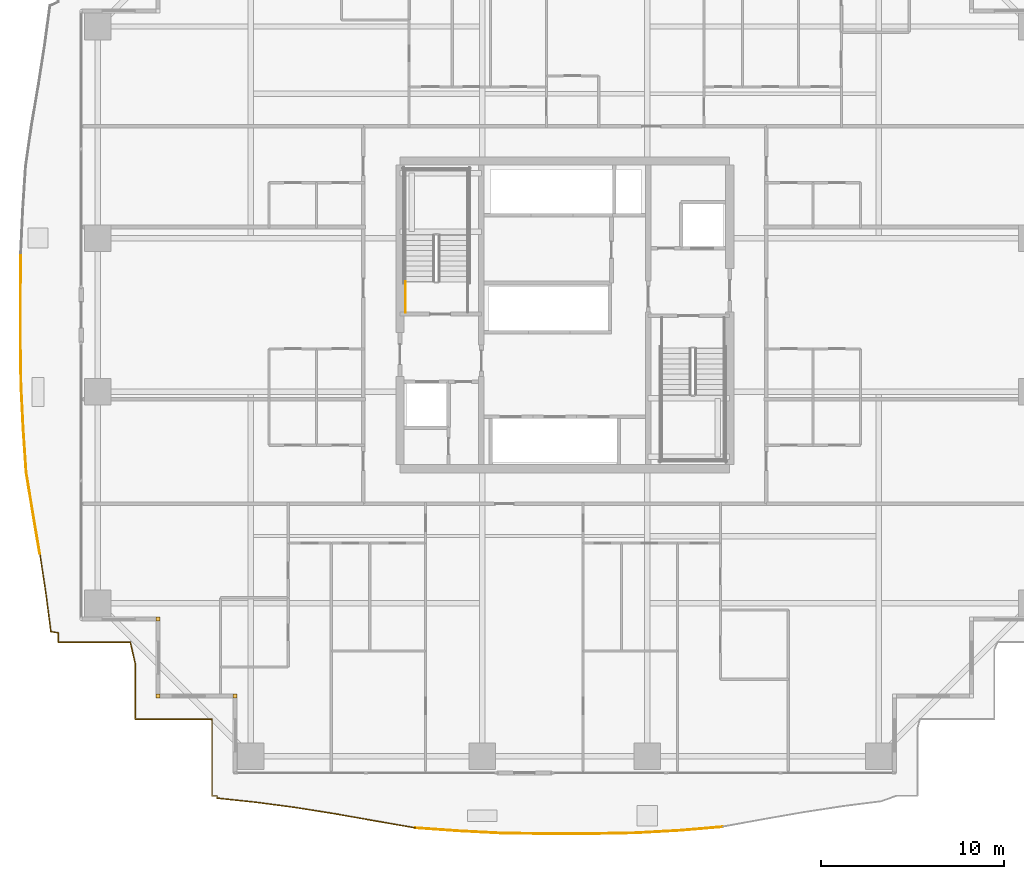
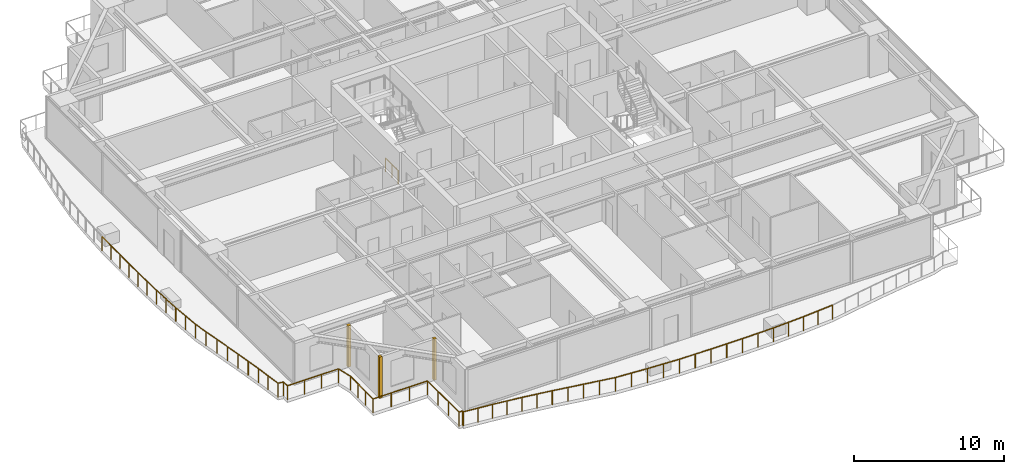
# One storey, part 34 of 40: 5 railings, 3 coverings.
"""IFC4 building model written with IfcOpenShell, lengths in metres."""

from ifc_helpers import new_model, si_unit, direction, frame, origin, origin_2d, place, context, subcontext, project, spatial, rectangle, circle, extrude, source, transform, mapped, material, layer, layer_set, type_object, element, save


model = new_model("IFC4")

# Units and contexts
model_context = context("Model", 3, precision=1e-05, world=origin(), true_north=direction((0.0, 1.0)))
body_context = subcontext(model_context, "Body", "Model", "MODEL_VIEW")
ifc_project = project(units=[si_unit("LENGTHUNIT", "METRE"), si_unit("AREAUNIT", "SQUARE_METRE"), si_unit("VOLUMEUNIT", "CUBIC_METRE"), si_unit("PLANEANGLEUNIT", "RADIAN"), si_unit("MASSUNIT", "GRAM", prefix="KILO")], contexts=[model_context])

# Site, building, storey
site_placement = place(None, origin())
site = spatial("IfcSite", under=ifc_project, at=site_placement, CompositionType="ELEMENT")
building_placement = place(site_placement, origin())
building = spatial("IfcBuilding", under=site, at=building_placement, Name="Serunith Strait Residences", CompositionType="ELEMENT")
storey_placement = place(building_placement, frame((0.0, 0.0, 105.449951171875)))
storey = spatial("IfcBuildingStorey", under=building, at=storey_placement, Name="L26", CompositionType="ELEMENT", Elevation=105.449951171875)

# Railings
ifc_material_1 = material(Name="Stainless Steel & Laminated Glass Balustrade", Category="steel")
railing_type_1 = type_object("IfcRailingType", Name="RLG-BALC-1150", PredefinedType="BALUSTRADE", material=ifc_material_1)
railing_1_placement = place(storey_placement, frame((13.139892578125, 3.139892578125, -0.050048828125)))
element("IfcRailing", 1, at=railing_1_placement, inside=storey, type_object=railing_type_1, Name="L26 Swirling Balcony Perimeter Balustrade 1", PredefinedType="BALUSTRADE", context=body_context, shape_type="SweptSolid", body=[
    extrude(circle(Radius=0.02392578125, at=origin_2d()), frame((-0.001953125, 0.0, 1.1259765625), z_axis=(-1.0, 0.0, 0.0), x_axis=(0.0, -1.0, 0.0)), (0.0, 0.0, 1.0), 4.196044921875),
    extrude(circle(Radius=0.02392578125, at=origin_2d()), frame((-4.199951171875, 0.001953125, 1.1259765625), z_axis=(0.0, 1.0, 0.0), x_axis=(-1.0, 0.0, 0.0)), (0.0, 0.0, 1.0), 3.044921875),
    extrude(circle(Radius=0.02392578125, at=origin_2d()), frame((-4.200439453125, 3.05078125, 1.1259765625), z_axis=(-0.223032461531, 0.974811018148, 0.0), x_axis=(-0.974811018148, -0.223032461531, 0.0)), (0.0, 0.0, 1.0), 1.177001953125),
    extrude(circle(Radius=0.02392578125, at=origin_2d()), frame((-4.46533203125, 4.2001953125, 1.1259765625), z_axis=(-1.0, 0.0, 0.0), x_axis=(0.0, -1.0, 0.0)), (0.0, 0.0, 1.0), 3.9326171875),
    extrude(circle(Radius=0.02392578125, at=origin_2d()), frame((-8.39990234375, 4.2021484375, 1.1259765625), z_axis=(0.0, 1.0, 0.0), x_axis=(-1.0, 0.0, 0.0)), (0.0, 0.0, 1.0), 0.50341796875),
    extrude(circle(Radius=0.02392578125, at=origin_2d()), frame((-8.40185546875, 4.707763671875, 1.1259765625), z_axis=(-0.987262585276, 0.159099301426, 0.0), x_axis=(-0.159099301426, -0.987262585276, 0.0)), (0.0, 0.0, 1.0), 0.399658203125),
    extrude(circle(Radius=0.02392578125, at=origin_2d()), frame((-8.798583984375, 4.773681640625, 1.1259765625), z_axis=(-0.129256490663, 0.991611193776, 0.0), x_axis=(-0.991611193776, -0.129256490663, 0.0)), (0.0, 0.0, 1.0), 2.1416015625),
    extrude(circle(Radius=0.02392578125, at=origin_2d()), frame((-9.075927734375, 6.9013671875, 1.1259765625), z_axis=(-0.151348441633, 0.988480474878, 0.0), x_axis=(-0.988480474878, -0.151348441633, 0.0)), (0.0, 0.0, 1.0), 2.17041015625),
    extrude(circle(Radius=0.02099609375, at=origin_2d()), origin(), (0.0, 0.0, 1.0), 1.099853515625),
    extrude(circle(Radius=0.02099609375, at=origin_2d()), frame((-1.39990234375, 0.0, 0.0)), (0.0, 0.0, 1.0), 1.099853515625),
    extrude(circle(Radius=0.02099609375, at=origin_2d()), frame((-2.800048828125, 0.0, 0.0)), (0.0, 0.0, 1.0), 1.099853515625),
    extrude(circle(Radius=0.02099609375, at=origin_2d()), frame((-4.199951171875, 0.0, 0.0)), (0.0, 0.0, 1.0), 1.099853515625),
    extrude(circle(Radius=0.02099609375, at=origin_2d()), frame((-4.199951171875, 1.016357421875, 0.0)), (0.0, 0.0, 1.0), 1.099853515625),
    extrude(circle(Radius=0.02099609375, at=origin_2d()), frame((-4.199951171875, 2.032470703125, 0.0)), (0.0, 0.0, 1.0), 1.099853515625),
    extrude(circle(Radius=0.02099609375, at=origin_2d()), frame((-4.199951171875, 3.048828125, 0.0)), (0.0, 0.0, 1.0), 1.099853515625),
    extrude(circle(Radius=0.02099609375, at=origin_2d()), frame((-4.46337890625, 4.2001953125, 0.0)), (0.0, 0.0, 1.0), 1.099853515625),
    extrude(circle(Radius=0.02099609375, at=origin_2d()), frame((-5.775634765625, 4.2001953125, 0.0)), (0.0, 0.0, 1.0), 1.099853515625),
    extrude(circle(Radius=0.02099609375, at=origin_2d()), frame((-7.087646484375, 4.2001953125, 0.0)), (0.0, 0.0, 1.0), 1.099853515625),
    extrude(circle(Radius=0.02099609375, at=origin_2d()), frame((-8.39990234375, 4.2001953125, 0.0)), (0.0, 0.0, 1.0), 1.099853515625),
    extrude(circle(Radius=0.02099609375, at=origin_2d()), frame((-8.39990234375, 4.70751953125, 0.0)), (0.0, 0.0, 1.0), 1.099853515625),
    extrude(circle(Radius=0.02099609375, at=origin_2d()), frame((-8.79833984375, 4.771728515625, 0.0)), (0.0, 0.0, 1.0), 1.099853515625),
    extrude(circle(Radius=0.02099609375, at=origin_2d()), frame((-8.93701171875, 5.83544921875, 0.0)), (0.0, 0.0, 1.0), 1.099853515625),
    extrude(circle(Radius=0.02099609375, at=origin_2d()), frame((-9.07568359375, 6.8994140625, 0.0)), (0.0, 0.0, 1.0), 1.099853515625),
    extrude(circle(Radius=0.02099609375, at=origin_2d()), frame((-9.240234375, 7.97412109375, 0.0)), (0.0, 0.0, 1.0), 1.099853515625),
    extrude(circle(Radius=0.02099609375, at=origin_2d()), frame((-9.40478515625, 9.048828125, 0.0)), (0.0, 0.0, 1.0), 1.099853515625),
])
railing_2_placement = place(storey_placement, frame((3.735107421875, 12.188720703125, -0.050048828125)))
element("IfcRailing", 2, at=railing_2_placement, inside=storey, type_object=railing_type_1, Name="L26 Swirling Balcony Perimeter Balustrade 2", PredefinedType="BALUSTRADE", context=body_context, shape_type="SweptSolid", body=[
    extrude(circle(Radius=0.02392578125, at=origin_2d()), frame((-0.000244140625, 0.001953125, 1.1259765625), z_axis=(-0.166718403381, 0.986004550686, 0.0), x_axis=(-0.986004550686, -0.166718403381, 0.0)), (0.0, 0.0, 1.0), 2.214599609375),
    extrude(circle(Radius=0.02392578125, at=origin_2d()), frame((-0.3701171875, 2.189453125, 1.1259765625), z_axis=(-0.16217371756, 0.9867622233, 0.0), x_axis=(-0.9867622233, -0.16217371756, 0.0)), (0.0, 0.0, 1.0), 2.273681640625),
    extrude(circle(Radius=0.02392578125, at=origin_2d()), frame((-0.739501953125, 4.43701171875, 1.1259765625), z_axis=(-0.068155105605, 0.997674737367, 0.0), x_axis=(-0.997674737367, -0.068155105605, 0.0)), (0.0, 0.0, 1.0), 2.35302734375),
    extrude(circle(Radius=0.02392578125, at=origin_2d()), frame((-0.89990234375, 6.78857421875, 1.1259765625), z_axis=(-0.049932513665, 0.998752594029, 0.0), x_axis=(-0.998752594029, -0.049932513665, 0.0)), (0.0, 0.0, 1.0), 2.382080078125),
    extrude(circle(Radius=0.02392578125, at=origin_2d()), frame((-1.01904296875, 9.171630859375, 1.1259765625), z_axis=(-0.015023684917, 0.999887138077, 0.0), x_axis=(-0.999887138077, -0.015023684917, 0.0)), (0.0, 0.0, 1.0), 2.401123046875),
    extrude(circle(Radius=0.02392578125, at=origin_2d()), frame((-1.05517578125, 11.576416015625, 1.1259765625), z_axis=(0.0, 1.0, 0.0), x_axis=(-1.0, 0.0, 0.0)), (0.0, 0.0, 1.0), 2.40966796875),
    extrude(circle(Radius=0.02392578125, at=origin_2d()), frame((-1.05517578125, 13.989990234375, 1.1259765625), z_axis=(0.008923688887, 0.999960183096, 0.0), x_axis=(-0.999960183096, 0.008923688887, 0.0)), (0.0, 0.0, 1.0), 2.403564453125),
    extrude(circle(Radius=0.02099609375, at=origin_2d()), origin(), (0.0, 0.0, 1.0), 1.099853515625),
    extrude(circle(Radius=0.02099609375, at=origin_2d()), frame((-0.18505859375, 1.09375, 0.0)), (0.0, 0.0, 1.0), 1.099853515625),
    extrude(circle(Radius=0.02099609375, at=origin_2d()), frame((-0.369873046875, 2.1875, 0.0)), (0.0, 0.0, 1.0), 1.099853515625),
    extrude(circle(Radius=0.02099609375, at=origin_2d()), frame((-0.5546875, 3.311279296875, 0.0)), (0.0, 0.0, 1.0), 1.099853515625),
    extrude(circle(Radius=0.02099609375, at=origin_2d()), frame((-0.7392578125, 4.43505859375, 0.0)), (0.0, 0.0, 1.0), 1.099853515625),
    extrude(circle(Radius=0.02099609375, at=origin_2d()), frame((-0.819580078125, 5.61083984375, 0.0)), (0.0, 0.0, 1.0), 1.099853515625),
    extrude(circle(Radius=0.02099609375, at=origin_2d()), frame((-0.89990234375, 6.78662109375, 0.0)), (0.0, 0.0, 1.0), 1.099853515625),
    extrude(circle(Radius=0.02099609375, at=origin_2d()), frame((-0.95947265625, 7.97802734375, 0.0)), (0.0, 0.0, 1.0), 1.099853515625),
    extrude(circle(Radius=0.02099609375, at=origin_2d()), frame((-1.01904296875, 9.169677734375, 0.0)), (0.0, 0.0, 1.0), 1.099853515625),
    extrude(circle(Radius=0.02099609375, at=origin_2d()), frame((-1.037109375, 10.3720703125, 0.0)), (0.0, 0.0, 1.0), 1.099853515625),
    extrude(circle(Radius=0.02099609375, at=origin_2d()), frame((-1.05517578125, 11.574462890625, 0.0)), (0.0, 0.0, 1.0), 1.099853515625),
    extrude(circle(Radius=0.02099609375, at=origin_2d()), frame((-1.05517578125, 12.78125, 0.0)), (0.0, 0.0, 1.0), 1.099853515625),
    extrude(circle(Radius=0.02099609375, at=origin_2d()), frame((-1.05517578125, 13.988037109375, 0.0)), (0.0, 0.0, 1.0), 1.099853515625),
    extrude(circle(Radius=0.02099609375, at=origin_2d()), frame((-1.04443359375, 15.19189453125, 0.0)), (0.0, 0.0, 1.0), 1.099853515625),
    extrude(circle(Radius=0.02099609375, at=origin_2d()), frame((-1.03369140625, 16.3955078125, 0.0)), (0.0, 0.0, 1.0), 1.099853515625),
])
railing_3_placement = place(storey_placement, frame((41.006591796875, -2.743408203125, -0.050048828125)))
element("IfcRailing", 3, at=railing_3_placement, inside=storey, type_object=railing_type_1, Name="L26 Swirling Balcony Perimeter Balustrade 7", PredefinedType="BALUSTRADE", context=body_context, shape_type="SweptSolid", body=[
    extrude(circle(Radius=0.02392578125, at=origin_2d()), frame((-0.001953125, -0.000244140625, 1.1259765625), z_axis=(-0.996380302041, -0.085007609683, 0.0), x_axis=(0.085007609683, -0.996380302041, 0.0)), (0.0, 0.0, 1.0), 2.35400390625),
    extrude(circle(Radius=0.02392578125, at=origin_2d()), frame((-2.351318359375, -0.200439453125, 1.1259765625), z_axis=(-0.998496810694, -0.054809844317, 0.0), x_axis=(0.054809844317, -0.998496810694, 0.0)), (0.0, 0.0, 1.0), 2.392333984375),
    extrude(circle(Radius=0.02392578125, at=origin_2d()), frame((-4.744140625, -0.331787109375, 1.1259765625), z_axis=(-0.999827571525, -0.018569523888, 0.0), x_axis=(0.018569523888, -0.999827571525, 0.0)), (0.0, 0.0, 1.0), 2.4150390625),
    extrude(circle(Radius=0.02392578125, at=origin_2d()), frame((-7.162841796875, -0.376708984375, 1.1259765625), z_axis=(-1.0, 0.0, 0.0), x_axis=(0.0, -1.0, 0.0)), (0.0, 0.0, 1.0), 2.4248046875),
    extrude(circle(Radius=0.02392578125, at=origin_2d()), frame((-9.591552734375, -0.376708984375, 1.1259765625), z_axis=(-0.999931609903, 0.011695106549, 0.0), x_axis=(-0.011695106549, -0.999931609903, 0.0)), (0.0, 0.0, 1.0), 2.41748046875),
    extrude(circle(Radius=0.02392578125, at=origin_2d()), frame((-12.012939453125, -0.348388671875, 1.1259765625), z_axis=(-0.998696979515, 0.051032765036, 0.0), x_axis=(-0.051032765036, -0.998696979515, 0.0)), (0.0, 0.0, 1.0), 2.3974609375),
    extrude(circle(Radius=0.02392578125, at=origin_2d()), frame((-14.411376953125, -0.2255859375, 1.1259765625), z_axis=(-0.99744823011, 0.071393474847, 0.0), x_axis=(-0.071393474847, -0.99744823011, 0.0)), (0.0, 0.0, 1.0), 2.36572265625),
    extrude(circle(Radius=0.02099609375, at=origin_2d()), origin(), (0.0, 0.0, 1.0), 1.099853515625),
    extrude(circle(Radius=0.02099609375, at=origin_2d()), frame((-1.1748046875, -0.10009765625, 0.0)), (0.0, 0.0, 1.0), 1.099853515625),
    extrude(circle(Radius=0.02099609375, at=origin_2d()), frame((-2.349365234375, -0.200439453125, 0.0)), (0.0, 0.0, 1.0), 1.099853515625),
    extrude(circle(Radius=0.02099609375, at=origin_2d()), frame((-3.5458984375, -0.26611328125, 0.0)), (0.0, 0.0, 1.0), 1.099853515625),
    extrude(circle(Radius=0.02099609375, at=origin_2d()), frame((-4.7421875, -0.331787109375, 0.0)), (0.0, 0.0, 1.0), 1.099853515625),
    extrude(circle(Radius=0.02099609375, at=origin_2d()), frame((-5.95166015625, -0.354248046875, 0.0)), (0.0, 0.0, 1.0), 1.099853515625),
    extrude(circle(Radius=0.02099609375, at=origin_2d()), frame((-7.160888671875, -0.376708984375, 0.0)), (0.0, 0.0, 1.0), 1.099853515625),
    extrude(circle(Radius=0.02099609375, at=origin_2d()), frame((-8.375244140625, -0.376708984375, 0.0)), (0.0, 0.0, 1.0), 1.099853515625),
    extrude(circle(Radius=0.02099609375, at=origin_2d()), frame((-9.589599609375, -0.376708984375, 0.0)), (0.0, 0.0, 1.0), 1.099853515625),
    extrude(circle(Radius=0.02099609375, at=origin_2d()), frame((-10.80029296875, -0.362548828125, 0.0)), (0.0, 0.0, 1.0), 1.099853515625),
    extrude(circle(Radius=0.02099609375, at=origin_2d()), frame((-12.010986328125, -0.348388671875, 0.0)), (0.0, 0.0, 1.0), 1.099853515625),
    extrude(circle(Radius=0.02099609375, at=origin_2d()), frame((-13.210205078125, -0.287109375, 0.0)), (0.0, 0.0, 1.0), 1.099853515625),
    extrude(circle(Radius=0.02099609375, at=origin_2d()), frame((-14.409423828125, -0.225830078125, 0.0)), (0.0, 0.0, 1.0), 1.099853515625),
    extrude(circle(Radius=0.02099609375, at=origin_2d()), frame((-15.59130859375, -0.14111328125, 0.0)), (0.0, 0.0, 1.0), 1.099853515625),
    extrude(circle(Radius=0.02099609375, at=origin_2d()), frame((-16.773193359375, -0.056640625, 0.0)), (0.0, 0.0, 1.0), 1.099853515625),
])
railing_4_placement = place(storey_placement, frame((24.2333984375, -2.800048828125, -0.050048828125)))
element("IfcRailing", 4, at=railing_4_placement, inside=storey, type_object=railing_type_1, Name="L26 Swirling Balcony Perimeter Balustrade 8", PredefinedType="BALUSTRADE", context=body_context, shape_type="SweptSolid", body=[
    extrude(circle(Radius=0.02392578125, at=origin_2d()), frame((-0.001953125, 0.000244140625, 1.1259765625), z_axis=(-0.985280679993, 0.170944381695, 0.0), x_axis=(-0.170944381695, -0.985280679993, 0.0)), (0.0, 0.0, 1.0), 2.281005859375),
    extrude(circle(Radius=0.02392578125, at=origin_2d()), frame((-2.25341796875, 0.390869140625, 1.1259765625), z_axis=(-0.98469153159, 0.174306017151, 0.0), x_axis=(-0.174306017151, -0.98469153159, 0.0)), (0.0, 0.0, 1.0), 2.216064453125),
    extrude(circle(Radius=0.02392578125, at=origin_2d()), frame((-4.439453125, 0.77783203125, 1.1259765625), z_axis=(-0.987723752391, 0.156210719743, 0.0), x_axis=(-0.156210719743, -0.987723752391, 0.0)), (0.0, 0.0, 1.0), 2.16845703125),
    extrude(circle(Radius=0.02392578125, at=origin_2d()), frame((-6.585205078125, 1.1171875, 1.1259765625), z_axis=(-0.991367617077, 0.131111585345, 0.0), x_axis=(-0.131111585345, -0.991367617077, 0.0)), (0.0, 0.0, 1.0), 2.13916015625),
    extrude(circle(Radius=0.02392578125, at=origin_2d()), frame((-8.7099609375, 1.398193359375, 1.1259765625), z_axis=(-0.994458236509, 0.10513237294, 0.0), x_axis=(-0.10513237294, -0.994458236509, 0.0)), (0.0, 0.0, 1.0), 2.12548828125),
    extrude(circle(Radius=0.02392578125, at=origin_2d()), frame((-10.82568359375, 1.623779296875, 1.1259765625), z_axis=(0.006198228042, 0.9999807908, 0.0), x_axis=(-0.9999807908, 0.006198228042, 0.0)), (0.0, 0.0, 1.0), 0.1142578125),
    extrude(circle(Radius=0.02392578125, at=origin_2d()), frame((-10.826904296875, 1.739990234375, 1.1259765625), z_axis=(-1.0, 0.0, 0.0), x_axis=(0.0, -1.0, 0.0)), (0.0, 0.0, 1.0), 0.2646484375),
    extrude(circle(Radius=0.02392578125, at=origin_2d()), frame((-11.093505859375, 1.741943359375, 1.1259765625), z_axis=(0.0, 1.0, 0.0), x_axis=(-1.0, 0.0, 0.0)), (0.0, 0.0, 1.0), 4.196044921875),
    extrude(circle(Radius=0.02099609375, at=origin_2d()), origin(), (0.0, 0.0, 1.0), 1.099853515625),
    extrude(circle(Radius=0.02099609375, at=origin_2d()), frame((-1.125732421875, 0.1953125, 0.0)), (0.0, 0.0, 1.0), 1.099853515625),
    extrude(circle(Radius=0.02099609375, at=origin_2d()), frame((-2.25146484375, 0.390625, 0.0)), (0.0, 0.0, 1.0), 1.099853515625),
    extrude(circle(Radius=0.02099609375, at=origin_2d()), frame((-3.344482421875, 0.583984375, 0.0)), (0.0, 0.0, 1.0), 1.099853515625),
    extrude(circle(Radius=0.02099609375, at=origin_2d()), frame((-4.4375, 0.777587890625, 0.0)), (0.0, 0.0, 1.0), 1.099853515625),
    extrude(circle(Radius=0.02099609375, at=origin_2d()), frame((-5.51025390625, 0.947265625, 0.0)), (0.0, 0.0, 1.0), 1.099853515625),
    extrude(circle(Radius=0.02099609375, at=origin_2d()), frame((-6.583251953125, 1.116943359375, 0.0)), (0.0, 0.0, 1.0), 1.099853515625),
    extrude(circle(Radius=0.02099609375, at=origin_2d()), frame((-7.6455078125, 1.25732421875, 0.0)), (0.0, 0.0, 1.0), 1.099853515625),
    extrude(circle(Radius=0.02099609375, at=origin_2d()), frame((-8.7080078125, 1.39794921875, 0.0)), (0.0, 0.0, 1.0), 1.099853515625),
    extrude(circle(Radius=0.02099609375, at=origin_2d()), frame((-9.766845703125, 1.509765625, 0.0)), (0.0, 0.0, 1.0), 1.099853515625),
    extrude(circle(Radius=0.02099609375, at=origin_2d()), frame((-10.82568359375, 1.621826171875, 0.0)), (0.0, 0.0, 1.0), 1.099853515625),
    extrude(circle(Radius=0.02099609375, at=origin_2d()), frame((-10.824951171875, 1.739990234375, 0.0)), (0.0, 0.0, 1.0), 1.099853515625),
    extrude(circle(Radius=0.02099609375, at=origin_2d()), frame((-11.093505859375, 1.739990234375, 0.0)), (0.0, 0.0, 1.0), 1.099853515625),
    extrude(circle(Radius=0.02099609375, at=origin_2d()), frame((-11.093505859375, 3.139892578125, 0.0)), (0.0, 0.0, 1.0), 1.099853515625),
    extrude(circle(Radius=0.02099609375, at=origin_2d()), frame((-11.093505859375, 4.5400390625, 0.0)), (0.0, 0.0, 1.0), 1.099853515625),
    extrude(circle(Radius=0.02099609375, at=origin_2d()), frame((-11.093505859375, 5.93994140625, 0.0)), (0.0, 0.0, 1.0), 1.099853515625),
])
ifc_material_2 = material(Name="Brushed stainless steel 316L", Category="steel")
railing_type_2 = type_object("IfcRailingType", Name="RLG-STAIR-GUARD", PredefinedType="BALUSTRADE", material=ifc_material_2)
railing_5_placement = place(storey_placement, frame((23.699951171875, 25.35009765625, 0.0)))
element("IfcRailing", 5, at=railing_5_placement, inside=storey, type_object=railing_type_2, Name="L26 ST-1 stair guard 9", PredefinedType="BALUSTRADE", context=body_context, shape_type="SweptSolid", body=[
    extrude(circle(Radius=0.02392578125, at=origin_2d()), frame((0.0, 0.001953125, 1.076171875), z_axis=(0.0, 1.0, 0.0), x_axis=(-1.0, 0.0, 0.0)), (0.0, 0.0, 1.0), 1.676025390625),
    extrude(circle(Radius=0.02099609375, at=origin_2d()), origin(), (0.0, 0.0, 1.0), 1.050048828125),
    extrude(circle(Radius=0.02099609375, at=origin_2d()), frame((0.0, 0.83984375, 0.0)), (0.0, 0.0, 1.0), 1.050048828125),
    extrude(circle(Radius=0.02099609375, at=origin_2d()), frame((0.0, 1.679931640625, 0.0)), (0.0, 0.0, 1.0), 1.050048828125),
])

# Coverings
ifc_material_3 = material(Name="Pale-Champagne Anodised Aluminium", Category="aluminium")
ifc_layer = layer(ifc_material_3, 0.219970703125, Name="Pale-Champagne Anodised Aluminium")
ifc_layer_set = layer_set([ifc_layer], Name="Pale-Champagne Anodised Aluminium")
covering_type = type_object("IfcCoveringType", Name="COV-CORN-TRIM", PredefinedType="CLADDING", material=ifc_layer_set)
shared_shape = source(origin(), body_context, "Body", "SweptSolid", [
    extrude(rectangle(XDim=0.221923828125, YDim=0.221923828125, at=origin_2d()), origin(), (0.0, 0.0, 1.0), 3.375),
])
for number, where, z_axis, x_axis, name in (
    (6, (10.199951171875, 8.60009765625, 0.0), (0.0, 0.0, 1.0), (1.0, 0.0, 0.0), "L26 Girih Serrated Corner Trim Post 17"),
    (7, (10.199951171875, 4.39990234375, 0.0), (0.0, 0.0, 1.0), (1.0, 0.0, 0.0), "L26 Girih Serrated Corner Trim Post 18"),
    (8, (14.39990234375, 4.39990234375, 0.0), (0.0, 0.0, 1.0), (1.0, 0.0, 0.0), "L26 Girih Serrated Corner Trim Post 19"),
):
    element("IfcCovering", number, at=place(storey_placement, frame(where, z_axis=z_axis, x_axis=x_axis)), inside=storey, type_object=covering_type, Name=name, PredefinedType="CLADDING", context=body_context, shape_type="MappedRepresentation", body=[
        mapped(shared_shape, transform((0.0, 0.0, 0.0), scale=1.0)),
    ])

save(model, "model.ifc")
